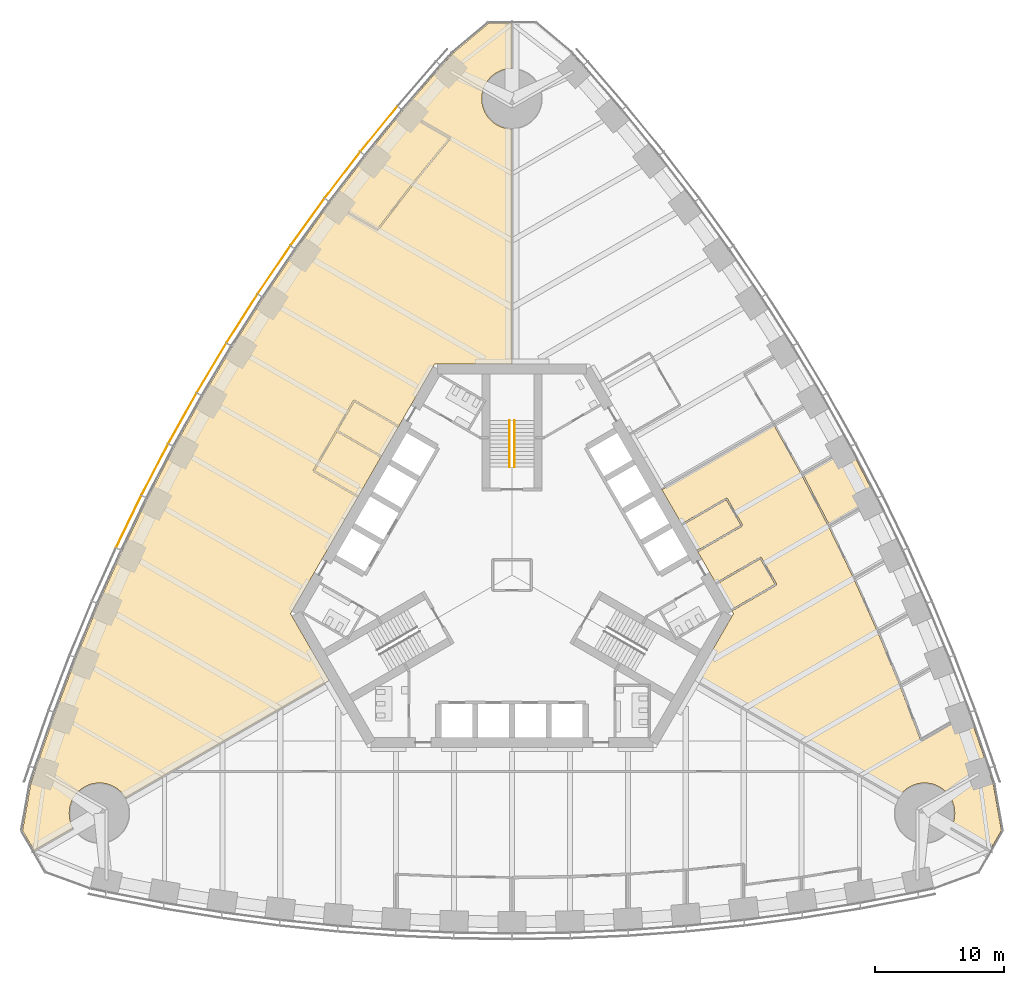
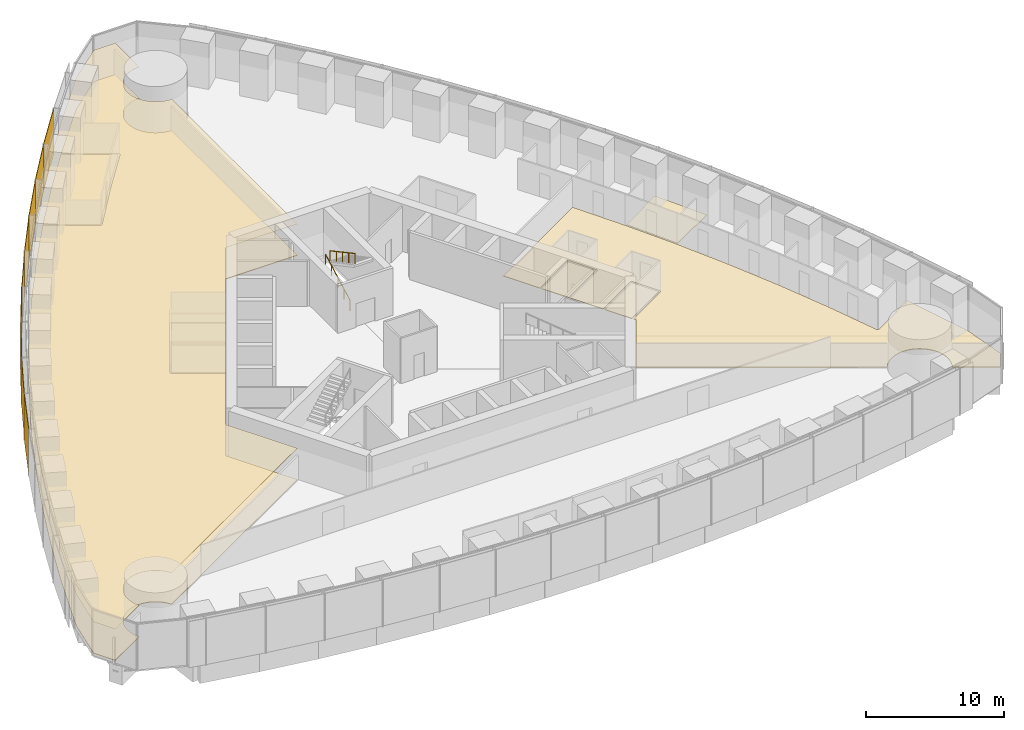
# One storey, part 16 of 19: 9 coverings, 9 shading devices, 2 railings.
"""IFC4 building model written with IfcOpenShell, lengths in metres."""

from ifc_helpers import new_model, si_unit, direction, frame, origin, origin_2d, place, context, subcontext, project, spatial, polyline, rectangle, circle, outline, extrude, material, layer, layer_set, type_object, element, save


model = new_model("IFC4")

# Units and contexts
model_context = context("Model", 3, precision=1e-05, world=origin(), true_north=direction((0.0, 1.0)))
body_context = subcontext(model_context, "Body", "Model", "MODEL_VIEW")
ifc_project = project(units=[si_unit("LENGTHUNIT", "METRE"), si_unit("AREAUNIT", "SQUARE_METRE"), si_unit("VOLUMEUNIT", "CUBIC_METRE"), si_unit("PLANEANGLEUNIT", "RADIAN"), si_unit("MASSUNIT", "GRAM", prefix="KILO")], contexts=[model_context])

# Site, building, storey
site_placement = place(None, origin())
site = spatial("IfcSite", under=ifc_project, at=site_placement, CompositionType="ELEMENT")
building_placement = place(site_placement, origin())
building = spatial("IfcBuilding", under=site, at=building_placement, Name="Trefoil Bronze Tower", CompositionType="ELEMENT")
storey_placement = place(building_placement, frame((0.0, 0.0, 83.699951171875)))
storey = spatial("IfcBuildingStorey", under=building, at=storey_placement, Name="L19", CompositionType="ELEMENT", Elevation=83.699951171875)

# Shading devices
ifc_material_1 = material(Name="Perforated bronze sheet", Category="bronze")
ifc_layer_1 = layer(ifc_material_1, 0.0400390625)
ifc_layer_set_1 = layer_set([ifc_layer_1], Name="Bronze solar screen panel")
shading_device_type = type_object("IfcShadingDeviceType", Name="Bronze solar screen panel", PredefinedType="SHUTTER", material=ifc_layer_set_1)
shading_device_1_placement = place(storey_placement, frame((-10.338623046875, 34.6474609375, 0.050048828125), z_axis=(0.0, 0.0, 1.0), x_axis=(-0.631810729457, -0.775122701346, 0.0)))
element("IfcShadingDevice", 1, at=shading_device_1_placement, inside=storey, type_object=shading_device_type, Name="Solar screen CW-A L19 F3 bay 3", PredefinedType="SHUTTER", context=body_context, shape_type="SweptSolid", body=[
    extrude(rectangle(XDim=4.5283203125, YDim=0.0400390625, at=origin_2d()), origin(), (0.0, 0.0, 1.0), 4.10009765625),
])
shading_device_2_placement = place(storey_placement, frame((-13.170166015625, 31.06787109375, 0.050048828125), z_axis=(0.0, 0.0, 1.0), x_axis=(-0.608807670879, -0.793317855515, 0.0)))
element("IfcShadingDevice", 2, at=shading_device_2_placement, inside=storey, type_object=shading_device_type, Name="Solar screen CW-A L19 F3 bay 4", PredefinedType="SHUTTER", context=body_context, shape_type="SweptSolid", body=[
    extrude(rectangle(XDim=4.5087890625, YDim=0.0400390625, at=origin_2d()), origin(), (0.0, 0.0, 1.0), 4.10009765625),
])
shading_device_3_placement = place(storey_placement, frame((-15.88525390625, 27.421142578125, 0.050048828125), z_axis=(0.0, 0.0, 1.0), x_axis=(-0.585372522213, -0.810764460394, 0.0)))
element("IfcShadingDevice", 3, at=shading_device_3_placement, inside=storey, type_object=shading_device_type, Name="Solar screen CW-A L19 F3 bay 5", PredefinedType="SHUTTER", context=body_context, shape_type="SweptSolid", body=[
    extrude(rectangle(XDim=4.493408203125, YDim=0.0400390625, at=origin_2d()), origin(), (0.0, 0.0, 1.0), 4.10009765625),
])
shading_device_4_placement = place(storey_placement, frame((-18.48486328125, 23.707763671875, 0.050048828125), z_axis=(0.0, 0.0, 1.0), x_axis=(-0.56150968077, -0.827470167681, 0.0)))
element("IfcShadingDevice", 4, at=shading_device_4_placement, inside=storey, type_object=shading_device_type, Name="Solar screen CW-A L19 F3 bay 6", PredefinedType="SHUTTER", context=body_context, shape_type="SweptSolid", body=[
    extrude(rectangle(XDim=4.48193359375, YDim=0.0400390625, at=origin_2d()), origin(), (0.0, 0.0, 1.0), 4.10009765625),
])
shading_device_5_placement = place(storey_placement, frame((-20.97021484375, 19.928466796875, 0.050048828125), z_axis=(0.0, 0.0, 1.0), x_axis=(-0.537222392469, -0.843440632783, 0.0)))
element("IfcShadingDevice", 5, at=shading_device_5_placement, inside=storey, type_object=shading_device_type, Name="Solar screen CW-A L19 F3 bay 7", PredefinedType="SHUTTER", context=body_context, shape_type="SweptSolid", body=[
    extrude(rectangle(XDim=4.474365234375, YDim=0.0400390625, at=origin_2d()), origin(), (0.0, 0.0, 1.0), 4.10009765625),
])
for number, where, z_axis, x_axis, name in (
    (6, (-23.341552734375, 16.083251953125, 0.050048828125), (0.0, 0.0, 1.0), (-0.51251279404, -0.858679588639, 0.0), "Solar screen CW-A L19 F3 bay 8"),
    (7, (-25.599365234375, 12.172607421875, 0.050048828125), (0.0, 0.0, 1.0), (-0.487381940453, -0.873188893722, 0.0), "Solar screen CW-A L19 F3 bay 9"),
):
    element("IfcShadingDevice", number, at=place(storey_placement, frame(where, z_axis=z_axis, x_axis=x_axis)), inside=storey, type_object=shading_device_type, Name=name, PredefinedType="SHUTTER", context=body_context, shape_type="SweptSolid", body=[
        extrude(rectangle(XDim=4.470458984375, YDim=0.0400390625, at=origin_2d()), origin(), (0.0, 0.0, 1.0), 4.10009765625),
    ])
shading_device_6_placement = place(storey_placement, frame((-27.74365234375, 8.1962890625, 0.050048828125), z_axis=(0.0, 0.0, 1.0), x_axis=(-0.46182981834, -0.886968555752, 0.0)))
element("IfcShadingDevice", 8, at=shading_device_6_placement, inside=storey, type_object=shading_device_type, Name="Solar screen CW-A L19 F3 bay 10", PredefinedType="SHUTTER", context=body_context, shape_type="SweptSolid", body=[
    extrude(rectangle(XDim=4.474365234375, YDim=0.0400390625, at=origin_2d()), origin(), (0.0, 0.0, 1.0), 4.10009765625),
])
shading_device_7_placement = place(storey_placement, frame((-29.77392578125, 4.154541015625, 0.050048828125), z_axis=(0.0, 0.0, 1.0), x_axis=(-0.4358553457, -0.900016731858, 0.0)))
element("IfcShadingDevice", 9, at=shading_device_7_placement, inside=storey, type_object=shading_device_type, Name="Solar screen CW-A L19 F3 bay 11", PredefinedType="SHUTTER", context=body_context, shape_type="SweptSolid", body=[
    extrude(rectangle(XDim=4.48193359375, YDim=0.0400390625, at=origin_2d()), origin(), (0.0, 0.0, 1.0), 4.10009765625),
])

# Railings
ifc_material_2 = material(Name="Steel handrail", Category="steel")
railing_type = type_object("IfcRailingType", Name="Handrail 900", PredefinedType="HANDRAIL", material=ifc_material_2)
railing_1_placement = place(storey_placement, frame((-0.199951171875, 8.389892578125, 0.16162109375)))
element("IfcRailing", 10, at=railing_1_placement, inside=storey, type_object=railing_type, Name="Handrail ST2 flight 1 L19", PredefinedType="HANDRAIL", context=body_context, shape_type="SweptSolid", body=[
    extrude(circle(Radius=0.02392578125, at=origin_2d()), frame((0.0, 0.0, 0.8759765625), z_axis=(0.0, 0.880474934443, 0.474092701714), x_axis=(-1.0, 0.0, 0.0)), (0.0, 0.0, 1.0), 4.0888671875),
    extrude(circle(Radius=0.02099609375, at=origin_2d()), origin(), (0.0, 0.0, 1.0), 0.851806640625),
    extrude(circle(Radius=0.02099609375, at=origin_2d()), frame((0.0, 0.89990234375, 0.484619140625)), (0.0, 0.0, 1.0), 0.851806640625),
    extrude(circle(Radius=0.02099609375, at=origin_2d()), frame((0.0, 1.800048828125, 0.96923828125)), (0.0, 0.0, 1.0), 0.851806640625),
    extrude(circle(Radius=0.02099609375, at=origin_2d()), frame((0.0, 2.7001953125, 1.453857421875)), (0.0, 0.0, 1.0), 0.851806640625),
    extrude(circle(Radius=0.02099609375, at=origin_2d()), frame((0.0, 3.60009765625, 1.9384765625)), (0.0, 0.0, 1.0), 0.851806640625),
])
railing_2_placement = place(storey_placement, frame((0.199951171875, 11.989990234375, 2.261474609375)))
element("IfcRailing", 11, at=railing_2_placement, inside=storey, type_object=railing_type, Name="Handrail ST2 flight 2 L19", PredefinedType="HANDRAIL", context=body_context, shape_type="SweptSolid", body=[
    extrude(circle(Radius=0.02392578125, at=origin_2d()), frame((0.0, 0.0, 0.8759765625), z_axis=(0.0, -0.880474934443, 0.474092701714), x_axis=(1.0, 0.0, 0.0)), (0.0, 0.0, 1.0), 4.0888671875),
    extrude(circle(Radius=0.02099609375, at=origin_2d()), origin(), (0.0, 0.0, 1.0), 0.851806640625),
    extrude(circle(Radius=0.02099609375, at=origin_2d()), frame((0.0, -0.89990234375, 0.484619140625)), (0.0, 0.0, 1.0), 0.851806640625),
    extrude(circle(Radius=0.02099609375, at=origin_2d()), frame((0.0, -1.800048828125, 0.96923828125)), (0.0, 0.0, 1.0), 0.851806640625),
    extrude(circle(Radius=0.02099609375, at=origin_2d()), frame((0.0, -2.7001953125, 1.453857421875)), (0.0, 0.0, 1.0), 0.851806640625),
    extrude(circle(Radius=0.02099609375, at=origin_2d()), frame((0.0, -3.60009765625, 1.9384765625)), (0.0, 0.0, 1.0), 0.851806640625),
])

# Coverings
ifc_material_3 = material(Name="Acoustic ceiling panels", Category="mineral fibre")
ifc_layer_2 = layer(ifc_material_3, 0.02001953125)
ifc_layer_set_2 = layer_set([ifc_layer_2], Name="Office ceiling 20")
covering_type_1 = type_object("IfcCoveringType", Name="Office ceiling 20", PredefinedType="CEILING", material=ifc_layer_set_2)
covering_1_placement = place(storey_placement, frame((0.0, 0.0, 2.900146484375)))
element("IfcCovering", 12, at=covering_1_placement, inside=storey, type_object=covering_type_1, Name="Ceiling L19 Open-plan office F3", PredefinedType="CEILING", context=body_context, shape_type="SweptSolid", body=[
    extrude(outline(polyline([(-36.9814453125, -15.021728515625), (-35.47998046875, -10.6923828125), (-33.860107421875, -6.431640625), (-32.123291015625, -2.23828125), (-30.271240234375, 1.888671875), (-28.3046875, 5.949462890625), (-26.224609375, 9.944580078125), (-24.031005859375, 13.87451171875), (-21.724609375, 17.73876953125), (-19.3046875, 21.537841796875), (-16.771240234375, 25.271484375), (-14.123291015625, 28.938720703125), (-11.360107421875, 32.53955078125), (-8.47998046875, 36.072998046875), (-5.4814453125, 39.537841796875), (-4.618896484375, 40.497314453125), (-1.82421875, 42.84228515625), (-0.01611328125, 42.84228515625), (-0.014892578125, 39.349609375), (-0.115234375, 39.34716796875), (-0.230224609375, 39.338623046875), (-0.3447265625, 39.32470703125), (-0.45849609375, 39.3046875), (-0.571044921875, 39.279541015625), (-0.68212890625, 39.248779296875), (-0.791748046875, 39.212646484375), (-0.8994140625, 39.171142578125), (-1.0048828125, 39.12451171875), (-1.10791015625, 39.072509765625), (-1.2080078125, 39.015625), (-1.3056640625, 38.9541015625), (-1.39990234375, 38.887451171875), (-1.49072265625, 38.816650390625), (-1.578125, 38.7412109375), (-1.66162109375, 38.66162109375), (-1.7412109375, 38.578125), (-1.816650390625, 38.49072265625), (-1.887451171875, 38.39990234375), (-1.9541015625, 38.3056640625), (-2.015625, 38.2080078125), (-2.072509765625, 38.10791015625), (-2.12451171875, 38.0048828125), (-2.171142578125, 37.8994140625), (-2.212646484375, 37.791748046875), (-2.248779296875, 37.68212890625), (-2.279541015625, 37.571044921875), (-2.3046875, 37.45849609375), (-2.32470703125, 37.3447265625), (-2.338623046875, 37.230224609375), (-2.34716796875, 37.115234375), (-2.35009765625, 37.0), (-2.34716796875, 36.884765625), (-2.338623046875, 36.769775390625), (-2.32470703125, 36.6552734375), (-2.3046875, 36.54150390625), (-2.279541015625, 36.428955078125), (-2.248779296875, 36.31787109375), (-2.212646484375, 36.208251953125), (-2.171142578125, 36.1005859375), (-2.12451171875, 35.9951171875), (-2.072509765625, 35.89208984375), (-2.015625, 35.7919921875), (-1.9541015625, 35.6943359375), (-1.887451171875, 35.60009765625), (-1.816650390625, 35.50927734375), (-1.7412109375, 35.421875), (-1.66162109375, 35.33837890625), (-1.578125, 35.2587890625), (-1.49072265625, 35.183349609375), (-1.39990234375, 35.112548828125), (-1.3056640625, 35.0458984375), (-1.2080078125, 34.984375), (-1.10791015625, 34.927490234375), (-1.0048828125, 34.87548828125), (-0.8994140625, 34.828857421875), (-0.791748046875, 34.787353515625), (-0.68212890625, 34.751220703125), (-0.571044921875, 34.720458984375), (-0.45849609375, 34.6953125), (-0.3447265625, 34.67529296875), (-0.230224609375, 34.661376953125), (-0.115234375, 34.65283203125), (-0.012939453125, 34.650390625), (-0.006103515625, 16.39990234375), (-6.00439453125, 16.39990234375), (-17.205078125, -3.0), (-14.205810546875, -8.194580078125), (-30.0146484375, -17.31396484375), (-30.02734375, -17.2919921875), (-30.089111328125, -17.1943359375), (-30.155517578125, -17.10009765625), (-30.226318359375, -17.00927734375), (-30.3017578125, -16.921875), (-30.381103515625, -16.83837890625), (-30.46484375, -16.7587890625), (-30.552001953125, -16.683349609375), (-30.64306640625, -16.612548828125), (-30.7373046875, -16.5458984375), (-30.834716796875, -16.484375), (-30.935302734375, -16.427490234375), (-31.0380859375, -16.37548828125), (-31.1435546875, -16.328857421875), (-31.251220703125, -16.287353515625), (-31.36083984375, -16.251220703125), (-31.471923828125, -16.220458984375), (-31.58447265625, -16.1953125), (-31.697998046875, -16.17529296875), (-31.8125, -16.161376953125), (-31.927490234375, -16.15283203125), (-32.04296875, -16.14990234375), (-32.158203125, -16.15283203125), (-32.273193359375, -16.161376953125), (-32.3876953125, -16.17529296875), (-32.50146484375, -16.1953125), (-32.614013671875, -16.220458984375), (-32.72509765625, -16.251220703125), (-32.834716796875, -16.287353515625), (-32.942138671875, -16.328857421875), (-33.047607421875, -16.37548828125), (-33.150634765625, -16.427490234375), (-33.251220703125, -16.484375), (-33.348388671875, -16.5458984375), (-33.44287109375, -16.612548828125), (-33.53369140625, -16.683349609375), (-33.62109375, -16.7587890625), (-33.70458984375, -16.83837890625), (-33.7841796875, -16.921875), (-33.859619140625, -17.00927734375), (-33.930419921875, -17.10009765625), (-33.996826171875, -17.1943359375), (-34.05859375, -17.2919921875), (-34.115478515625, -17.39208984375), (-34.167236328125, -17.4951171875), (-34.214111328125, -17.6005859375), (-34.255615234375, -17.708251953125), (-34.291748046875, -17.81787109375), (-34.322509765625, -17.928955078125), (-34.347900390625, -18.04150390625), (-34.367431640625, -18.1552734375), (-34.381591796875, -18.269775390625), (-34.39013671875, -18.384765625), (-34.392822265625, -18.5), (-34.39013671875, -18.615234375), (-34.381591796875, -18.730224609375), (-34.367431640625, -18.8447265625), (-34.347900390625, -18.95849609375), (-34.322509765625, -19.071044921875), (-34.291748046875, -19.18212890625), (-34.255615234375, -19.291748046875), (-34.214111328125, -19.3994140625), (-34.167236328125, -19.5048828125), (-34.115478515625, -19.60791015625), (-34.084716796875, -19.661865234375), (-37.110595703125, -21.4072265625), (-38.0146484375, -19.841552734375), (-37.381103515625, -16.248779296875), (-36.9814453125, -15.021728515625)])), origin(), (0.0, 0.0, 1.0), 0.02001953125),
])
ifc_material_4 = material(Name="Raised access floor panels", Category="steel")
ifc_layer_3 = layer(ifc_material_4, 0.050048828125)
ifc_layer_set_3 = layer_set([ifc_layer_3], Name="Raised access floor 150")
covering_type_2 = type_object("IfcCoveringType", Name="Raised access floor 150", PredefinedType="FLOORING", material=ifc_layer_set_3)
covering_2_placement = place(storey_placement, frame((0.0, 0.0, 0.10009765625)))
element("IfcCovering", 13, at=covering_2_placement, inside=storey, type_object=covering_type_2, Name="Raised floor L19 Print and store room F2", PredefinedType="FLOORING", context=body_context, shape_type="SweptSolid", body=[
    extrude(outline(polyline([(15.884765625, -0.713134765625), (19.296875, 1.2568359375), (20.43701171875, -0.7177734375), (17.024658203125, -2.687744140625), (15.884765625, -0.713134765625)])), origin(), (0.0, 0.0, 1.0), 0.050048828125),
])
covering_3_placement = place(storey_placement, frame((0.0, 0.0, 0.10009765625)))
element("IfcCovering", 14, at=covering_3_placement, inside=storey, type_object=covering_type_2, Name="Raised floor L19 Comms room F2", PredefinedType="FLOORING", context=body_context, shape_type="SweptSolid", body=[
    extrude(outline(polyline([(13.234619140625, 3.876708984375), (16.64697265625, 5.8466796875), (17.786865234375, 3.872314453125), (14.374755859375, 1.902099609375), (13.234619140625, 3.876708984375)])), origin(), (0.0, 0.0, 1.0), 0.050048828125),
])
covering_4_placement = place(storey_placement, frame((0.0, 0.0, 0.10009765625)))
element("IfcCovering", 15, at=covering_4_placement, inside=storey, type_object=covering_type_2, Name="Raised floor L19 Office F2", PredefinedType="FLOORING", context=body_context, shape_type="SweptSolid", body=[
    extrude(outline(polyline([(26.224609375, 9.944580078125), (28.3046875, 5.949462890625), (26.890869140625, 5.133056640625), (26.86083984375, 5.18505859375), (24.6484375, 3.90771484375), (22.623779296875, 7.79638671875), (24.84228515625, 9.077392578125), (24.812255859375, 9.12939453125), (26.224609375, 9.944580078125)])), origin(), (0.0, 0.0, 1.0), 0.050048828125),
])
covering_5_placement = place(storey_placement, frame((0.0, 0.0, 0.10009765625)))
element("IfcCovering", 16, at=covering_5_placement, inside=storey, type_object=covering_type_2, Name="Raised floor L19 Open-plan office F2", PredefinedType="FLOORING", context=body_context, shape_type="SweptSolid", body=[
    extrude(outline(polyline([(14.205810546875, -8.194580078125), (17.205078125, -3.0), (17.084716796875, -2.79150390625), (20.548828125, -0.79150390625), (20.518798828125, -0.73974609375), (20.57080078125, -0.709716796875), (19.370849609375, 1.368896484375), (19.31884765625, 1.3388671875), (19.288818359375, 1.390625), (15.82470703125, -0.609375), (14.434814453125, 1.79833984375), (17.898681640625, 3.79833984375), (17.868896484375, 3.850341796875), (17.9208984375, 3.88037109375), (16.720703125, 5.958740234375), (16.668701171875, 5.9287109375), (16.638916015625, 5.980712890625), (13.1748046875, 3.980712890625), (11.605224609375, 6.69921875), (11.614013671875, 6.7041015625), (11.65087890625, 6.639892578125), (20.335205078125, 11.65380859375), (22.4912109375, 7.791015625), (24.570556640625, 3.797607421875), (26.536376953125, -0.26171875), (28.3876953125, -4.386962890625), (30.123779296875, -8.578857421875), (31.743408203125, -12.8388671875), (31.79931640625, -12.8173828125), (31.829345703125, -12.869384765625), (34.07666015625, -11.572021484375), (34.046630859375, -11.52001953125), (35.47998046875, -10.6923828125), (36.9814453125, -15.021728515625), (37.381103515625, -16.248779296875), (38.0146484375, -19.841552734375), (37.110595703125, -21.4072265625), (34.084716796875, -19.661865234375), (34.115478515625, -19.60791015625), (34.167236328125, -19.5048828125), (34.214111328125, -19.3994140625), (34.255615234375, -19.291748046875), (34.291748046875, -19.18212890625), (34.322509765625, -19.071044921875), (34.347900390625, -18.95849609375), (34.367431640625, -18.8447265625), (34.381591796875, -18.730224609375), (34.39013671875, -18.615234375), (34.392822265625, -18.5), (34.39013671875, -18.384765625), (34.381591796875, -18.269775390625), (34.367431640625, -18.1552734375), (34.347900390625, -18.04150390625), (34.322509765625, -17.928955078125), (34.291748046875, -17.81787109375), (34.255615234375, -17.708251953125), (34.214111328125, -17.6005859375), (34.167236328125, -17.4951171875), (34.115478515625, -17.39208984375), (34.05859375, -17.2919921875), (33.996826171875, -17.1943359375), (33.930419921875, -17.10009765625), (33.859619140625, -17.00927734375), (33.7841796875, -16.921875), (33.70458984375, -16.83837890625), (33.62109375, -16.7587890625), (33.53369140625, -16.683349609375), (33.44287109375, -16.612548828125), (33.348388671875, -16.5458984375), (33.251220703125, -16.484375), (33.150634765625, -16.427490234375), (33.047607421875, -16.37548828125), (32.942138671875, -16.328857421875), (32.834716796875, -16.287353515625), (32.72509765625, -16.251220703125), (32.614013671875, -16.220458984375), (32.50146484375, -16.1953125), (32.3876953125, -16.17529296875), (32.273193359375, -16.161376953125), (32.158203125, -16.15283203125), (32.04296875, -16.14990234375), (31.927490234375, -16.15283203125), (31.8125, -16.161376953125), (31.697998046875, -16.17529296875), (31.58447265625, -16.1953125), (31.471923828125, -16.220458984375), (31.36083984375, -16.251220703125), (31.251220703125, -16.287353515625), (31.1435546875, -16.328857421875), (31.0380859375, -16.37548828125), (30.935302734375, -16.427490234375), (30.834716796875, -16.484375), (30.7373046875, -16.5458984375), (30.64306640625, -16.612548828125), (30.552001953125, -16.683349609375), (30.46484375, -16.7587890625), (30.381103515625, -16.83837890625), (30.3017578125, -16.921875), (30.226318359375, -17.00927734375), (30.155517578125, -17.10009765625), (30.089111328125, -17.1943359375), (30.02734375, -17.2919921875), (30.0146484375, -17.31396484375), (14.205810546875, -8.194580078125)])), origin(), (0.0, 0.0, 1.0), 0.050048828125),
])
covering_6_placement = place(storey_placement, frame((0.0, 0.0, 0.10009765625)))
element("IfcCovering", 17, at=covering_6_placement, inside=storey, type_object=covering_type_2, Name="Raised floor L19 Wellbeing room F3", PredefinedType="FLOORING", context=body_context, shape_type="SweptSolid", body=[
    extrude(outline(polyline([(-10.124755859375, 9.263427734375), (-13.536865234375, 11.2333984375), (-12.246826171875, 13.4677734375), (-8.834716796875, 11.497802734375), (-10.124755859375, 9.263427734375)])), origin(), (0.0, 0.0, 1.0), 0.050048828125),
])
covering_7_placement = place(storey_placement, frame((0.0, 0.0, 0.10009765625)))
element("IfcCovering", 18, at=covering_7_placement, inside=storey, type_object=covering_type_2, Name="Raised floor L19 Meeting room F3", PredefinedType="FLOORING", context=body_context, shape_type="SweptSolid", body=[
    extrude(outline(polyline([(-11.9248046875, 6.145751953125), (-15.3369140625, 8.11572265625), (-13.596923828125, 11.12939453125), (-10.184814453125, 9.159423828125), (-11.9248046875, 6.145751953125)])), origin(), (0.0, 0.0, 1.0), 0.050048828125),
])
covering_8_placement = place(storey_placement, frame((0.0, 0.0, 0.10009765625)))
element("IfcCovering", 19, at=covering_8_placement, inside=storey, type_object=covering_type_2, Name="Raised floor L19 Quiet room F3", PredefinedType="FLOORING", context=body_context, shape_type="SweptSolid", body=[
    extrude(outline(polyline([(-11.360107421875, 32.53955078125), (-8.47998046875, 36.072998046875), (-7.046630859375, 35.245361328125), (-7.07666015625, 35.193359375), (-4.890380859375, 33.93115234375), (-7.72607421875, 30.452392578125), (-7.679443359375, 30.41455078125), (-7.72705078125, 30.451171875), (-10.45849609375, 26.89208984375), (-12.672119140625, 28.170166015625), (-12.7021484375, 28.1181640625), (-14.123291015625, 28.938720703125), (-11.360107421875, 32.53955078125)])), origin(), (0.0, 0.0, 1.0), 0.050048828125),
])
covering_9_placement = place(storey_placement, frame((0.0, 0.0, 0.10009765625)))
element("IfcCovering", 20, at=covering_9_placement, inside=storey, type_object=covering_type_2, Name="Raised floor L19 Open-plan office F3", PredefinedType="FLOORING", context=body_context, shape_type="SweptSolid", body=[
    extrude(outline(polyline([(-16.771240234375, 25.271484375), (-14.123291015625, 28.938720703125), (-12.7021484375, 28.1181640625), (-12.732177734375, 28.06640625), (-10.472900390625, 26.76171875), (-10.44287109375, 26.813720703125), (-10.395263671875, 26.777099609375), (-7.909912109375, 30.015869140625), (-7.34326171875, 30.732177734375), (-4.7529296875, 33.909912109375), (-4.79931640625, 33.947998046875), (-4.769287109375, 33.999755859375), (-7.0166015625, 35.29736328125), (-7.046630859375, 35.245361328125), (-8.47998046875, 36.072998046875), (-5.4814453125, 39.537841796875), (-4.618896484375, 40.497314453125), (-1.82421875, 42.84228515625), (-0.01611328125, 42.84228515625), (-0.014892578125, 39.349609375), (-0.115234375, 39.34716796875), (-0.230224609375, 39.338623046875), (-0.3447265625, 39.32470703125), (-0.45849609375, 39.3046875), (-0.571044921875, 39.279541015625), (-0.68212890625, 39.248779296875), (-0.791748046875, 39.212646484375), (-0.8994140625, 39.171142578125), (-1.0048828125, 39.12451171875), (-1.10791015625, 39.072509765625), (-1.2080078125, 39.015625), (-1.3056640625, 38.9541015625), (-1.39990234375, 38.887451171875), (-1.49072265625, 38.816650390625), (-1.578125, 38.7412109375), (-1.66162109375, 38.66162109375), (-1.7412109375, 38.578125), (-1.816650390625, 38.49072265625), (-1.887451171875, 38.39990234375), (-1.9541015625, 38.3056640625), (-2.015625, 38.2080078125), (-2.072509765625, 38.10791015625), (-2.12451171875, 38.0048828125), (-2.171142578125, 37.8994140625), (-2.212646484375, 37.791748046875), (-2.248779296875, 37.68212890625), (-2.279541015625, 37.571044921875), (-2.3046875, 37.45849609375), (-2.32470703125, 37.3447265625), (-2.338623046875, 37.230224609375), (-2.34716796875, 37.115234375), (-2.35009765625, 37.0), (-2.34716796875, 36.884765625), (-2.338623046875, 36.769775390625), (-2.32470703125, 36.6552734375), (-2.3046875, 36.54150390625), (-2.279541015625, 36.428955078125), (-2.248779296875, 36.31787109375), (-2.212646484375, 36.208251953125), (-2.171142578125, 36.1005859375), (-2.12451171875, 35.9951171875), (-2.072509765625, 35.89208984375), (-2.015625, 35.7919921875), (-1.9541015625, 35.6943359375), (-1.887451171875, 35.60009765625), (-1.816650390625, 35.50927734375), (-1.7412109375, 35.421875), (-1.66162109375, 35.33837890625), (-1.578125, 35.2587890625), (-1.49072265625, 35.183349609375), (-1.39990234375, 35.112548828125), (-1.3056640625, 35.0458984375), (-1.2080078125, 34.984375), (-1.10791015625, 34.927490234375), (-1.0048828125, 34.87548828125), (-0.8994140625, 34.828857421875), (-0.791748046875, 34.787353515625), (-0.68212890625, 34.751220703125), (-0.571044921875, 34.720458984375), (-0.45849609375, 34.6953125), (-0.3447265625, 34.67529296875), (-0.230224609375, 34.661376953125), (-0.115234375, 34.65283203125), (-0.012939453125, 34.650390625), (-0.006103515625, 16.39990234375), (-6.00439453125, 16.39990234375), (-8.774658203125, 11.601806640625), (-12.23876953125, 13.601806640625), (-12.268798828125, 13.5498046875), (-12.32080078125, 13.57958984375), (-13.6708984375, 11.241455078125), (-15.470703125, 8.123779296875), (-15.418701171875, 8.09375), (-15.44873046875, 8.041748046875), (-11.984619140625, 6.041748046875), (-17.205078125, -3.0), (-14.205810546875, -8.194580078125), (-30.0146484375, -17.31396484375), (-30.02734375, -17.2919921875), (-30.089111328125, -17.1943359375), (-30.155517578125, -17.10009765625), (-30.226318359375, -17.00927734375), (-30.3017578125, -16.921875), (-30.381103515625, -16.83837890625), (-30.46484375, -16.7587890625), (-30.552001953125, -16.683349609375), (-30.64306640625, -16.612548828125), (-30.7373046875, -16.5458984375), (-30.834716796875, -16.484375), (-30.935302734375, -16.427490234375), (-31.0380859375, -16.37548828125), (-31.1435546875, -16.328857421875), (-31.251220703125, -16.287353515625), (-31.36083984375, -16.251220703125), (-31.471923828125, -16.220458984375), (-31.58447265625, -16.1953125), (-31.697998046875, -16.17529296875), (-31.8125, -16.161376953125), (-31.927490234375, -16.15283203125), (-32.04296875, -16.14990234375), (-32.158203125, -16.15283203125), (-32.273193359375, -16.161376953125), (-32.3876953125, -16.17529296875), (-32.50146484375, -16.1953125), (-32.614013671875, -16.220458984375), (-32.72509765625, -16.251220703125), (-32.834716796875, -16.287353515625), (-32.942138671875, -16.328857421875), (-33.047607421875, -16.37548828125), (-33.150634765625, -16.427490234375), (-33.251220703125, -16.484375), (-33.348388671875, -16.5458984375), (-33.44287109375, -16.612548828125), (-33.53369140625, -16.683349609375), (-33.62109375, -16.7587890625), (-33.70458984375, -16.83837890625), (-33.7841796875, -16.921875), (-33.859619140625, -17.00927734375), (-33.930419921875, -17.10009765625), (-33.996826171875, -17.1943359375), (-34.05859375, -17.2919921875), (-34.115478515625, -17.39208984375), (-34.167236328125, -17.4951171875), (-34.214111328125, -17.6005859375), (-34.255615234375, -17.708251953125), (-34.291748046875, -17.81787109375), (-34.322509765625, -17.928955078125), (-34.347900390625, -18.04150390625), (-34.367431640625, -18.1552734375), (-34.381591796875, -18.269775390625), (-34.39013671875, -18.384765625), (-34.392822265625, -18.5), (-34.39013671875, -18.615234375), (-34.381591796875, -18.730224609375), (-34.367431640625, -18.8447265625), (-34.347900390625, -18.95849609375), (-34.322509765625, -19.071044921875), (-34.291748046875, -19.18212890625), (-34.255615234375, -19.291748046875), (-34.214111328125, -19.3994140625), (-34.167236328125, -19.5048828125), (-34.115478515625, -19.60791015625), (-34.084716796875, -19.661865234375), (-37.110595703125, -21.4072265625), (-38.0146484375, -19.841552734375), (-37.381103515625, -16.248779296875), (-36.9814453125, -15.021728515625), (-35.47998046875, -10.6923828125), (-33.860107421875, -6.431640625), (-32.123291015625, -2.23828125), (-30.271240234375, 1.888671875), (-28.3046875, 5.949462890625), (-26.224609375, 9.944580078125), (-24.031005859375, 13.87451171875), (-21.724609375, 17.73876953125), (-19.3046875, 21.537841796875), (-16.771240234375, 25.271484375)])), origin(), (0.0, 0.0, 1.0), 0.050048828125),
])

save(model, "model.ifc")
